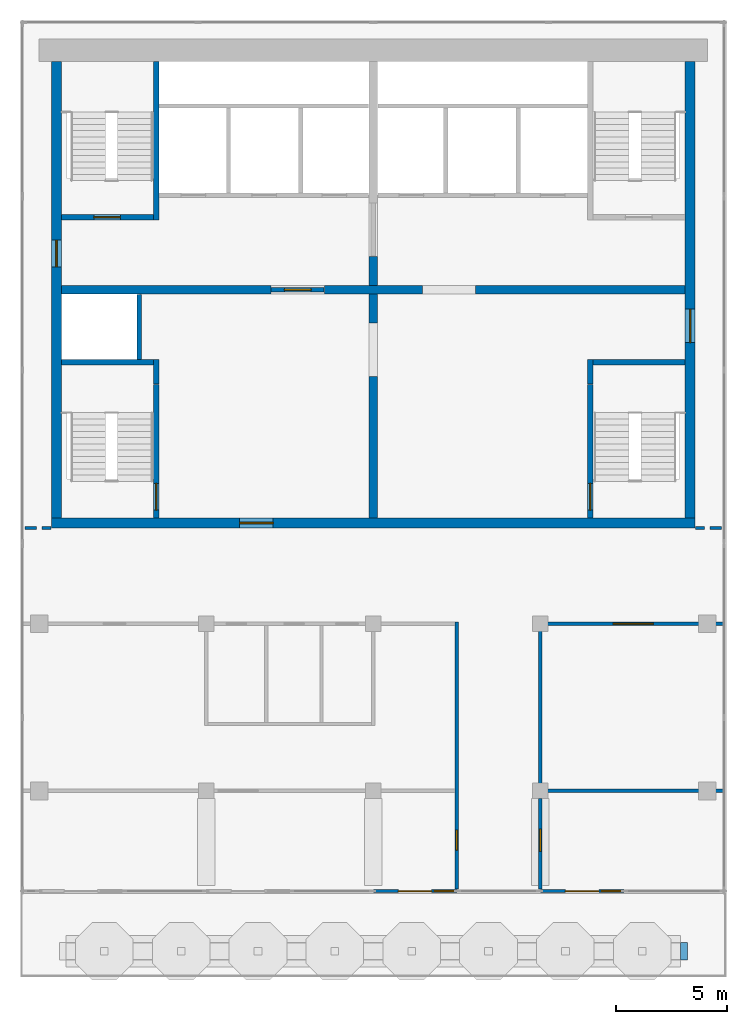
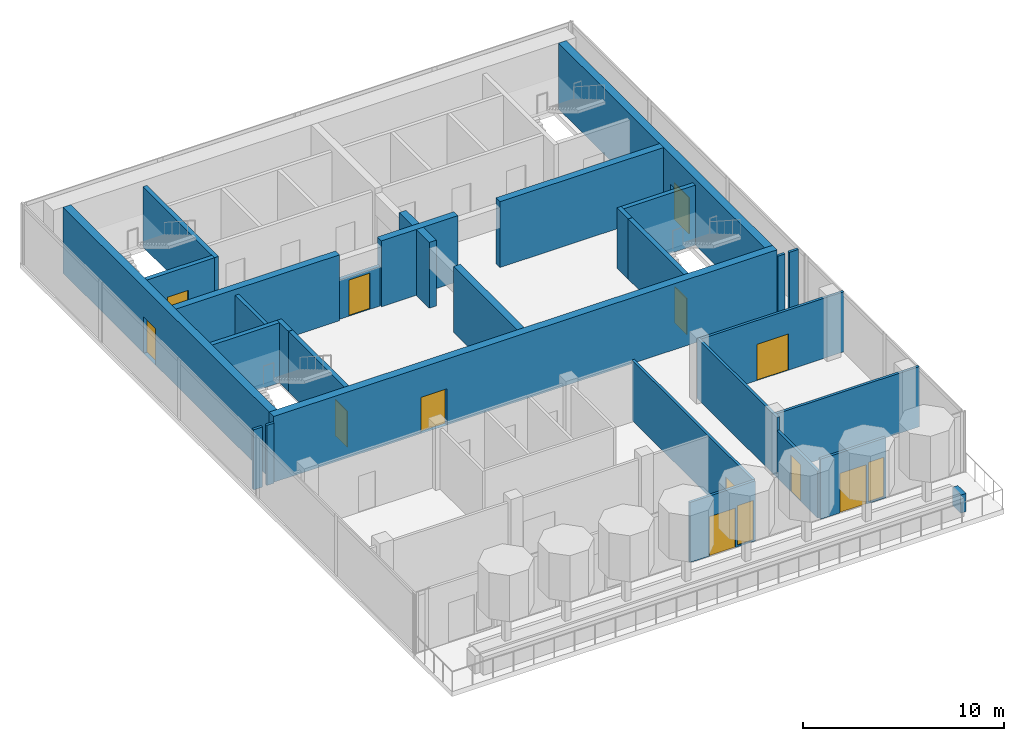
# One storey, part 3 of 6: 31 walls, 12 doors, 2 windows, 14 openings.
"""IFC4 building model written with IfcOpenShell, lengths in metres."""

from ifc_helpers import new_model, si_unit, direction, frame, frame_2d, origin, place, context, subcontext, project, spatial, rectangle, extrude, material, layer, layer_set, type_object, element, fill, save


model = new_model("IFC4")

# Units and contexts
model_context = context("Model", 3, precision=1e-05, world=origin(), true_north=direction((0.0, 1.0)))
body_context = subcontext(model_context, "Body", "Model", "MODEL_VIEW")
ifc_project = project(units=[si_unit("LENGTHUNIT", "METRE"), si_unit("AREAUNIT", "SQUARE_METRE"), si_unit("VOLUMEUNIT", "CUBIC_METRE"), si_unit("PLANEANGLEUNIT", "RADIAN"), si_unit("MASSUNIT", "GRAM", prefix="KILO")], contexts=[model_context])

# Site, building, storey
site_placement = place(None, origin())
site = spatial("IfcSite", under=ifc_project, at=site_placement, CompositionType="ELEMENT")
building_placement = place(site_placement, origin())
building = spatial("IfcBuilding", under=site, at=building_placement, Name="Pilkhan Gate Tower", CompositionType="ELEMENT")
storey_placement = place(building_placement, frame((0.0, 0.0, 283.699951171875)))
storey = spatial("IfcBuildingStorey", under=building, at=storey_placement, Name="L74", CompositionType="ELEMENT", Elevation=283.699951171875)

# Wall, opening, door
ifc_material_1 = material(Name="Concrete C50/60", Category="concrete")
ifc_layer_1 = layer(ifc_material_1, 0.449951171875)
ifc_layer_set_1 = layer_set([ifc_layer_1], Name="Core wall CW450 C50/60")
wall_type_1 = type_object("IfcWallType", Name="Core wall CW450 C50/60", PredefinedType="SHEAR", material=ifc_layer_set_1)
wall_1_placement = place(storey_placement, frame((60.550048828125, 72.02490234375, 0.0), z_axis=(0.0, 0.0, 1.0), x_axis=(1.0, 0.0, 0.0)))
wall_1 = element("IfcWall", 1, at=wall_1_placement, inside=storey, type_object=wall_type_1, Name="Core wall S L74", PredefinedType="SHEAR", context=body_context, shape_type="SweptSolid", body=[
    extrude(rectangle(XDim=28.89990234375, YDim=0.449951171875, at=frame_2d((14.449951171875, 0.0))), origin(), (0.0, 0.0, 1.0), 4.0),
])
opening_1_placement = place(wall_1_placement, frame((8.449951171875, 0.0, 0.0)))
opening_1 = element("IfcOpeningElement", 2, at=opening_1_placement, cuts=wall_1, Name="Opening L74-07", PredefinedType="OPENING", context=body_context, shape_type="SweptSolid", body=[
    extrude(rectangle(XDim=1.5, YDim=2.199951171875, at=frame_2d((0.75, 1.10009765625))), frame((0.0, 0.23486328125, 0.0), z_axis=(0.0, -1.0, 0.0), x_axis=(1.0, 0.0, 0.0)), (0.0, 0.0, 1.0), 0.469970703125),
])
ifc_material_2 = material(Name="Steel framed glazed door, 60 minute fire resisting", Category="steel")
door_type_1 = type_object("IfcDoorType", Name="Lobby door D09 1500x2200", OperationType="DOUBLE_DOOR_SINGLE_SWING", PredefinedType="DOOR", material=ifc_material_2)
door_1_placement = place(opening_1_placement, origin())
door_1 = element("IfcDoor", 3, at=door_1_placement, inside=storey, type_object=door_type_1, Name="Core door", OperationType="DOUBLE_DOOR_SINGLE_SWING", OverallHeight=2.199951171875, OverallWidth=1.5, PredefinedType="DOOR", context=body_context, shape_type="SweptSolid", body=[
    extrude(rectangle(XDim=1.5, YDim=2.199951171875, at=frame_2d((0.75, 1.10009765625))), frame((0.0, 0.02490234375, 0.0), z_axis=(0.0, -1.0, 0.0), x_axis=(1.0, 0.0, 0.0)), (0.0, 0.0, 1.0), 0.050048828125),
])
fill(opening_1, door_1)

wall_2_placement = place(storey_placement, frame((89.22509765625, 72.25, 0.0), z_axis=(0.0, 0.0, 1.0), x_axis=(0.0, 1.0, 0.0)))
wall_2 = element("IfcWall", 4, at=wall_2_placement, inside=storey, type_object=wall_type_1, Name="Core wall E L74", PredefinedType="SHEAR", context=body_context, shape_type="SweptSolid", body=[
    extrude(rectangle(XDim=20.5, YDim=0.449951171875, at=frame_2d((10.25, 0.0))), origin(), (0.0, 0.0, 1.0), 4.0),
])
opening_2_placement = place(wall_2_placement, frame((7.875, 0.0, 0.0)))
opening_2 = element("IfcOpeningElement", 5, at=opening_2_placement, cuts=wall_2, Name="Opening L74-08", PredefinedType="OPENING", context=body_context, shape_type="SweptSolid", body=[
    extrude(rectangle(XDim=1.5, YDim=2.199951171875, at=frame_2d((0.75, 1.10009765625))), frame((0.0, 0.23486328125, 0.0), z_axis=(0.0, -1.0, 0.0), x_axis=(1.0, 0.0, 0.0)), (0.0, 0.0, 1.0), 0.469970703125),
])
door_2_placement = place(opening_2_placement, origin())
door_2 = element("IfcDoor", 6, at=door_2_placement, inside=storey, type_object=door_type_1, Name="Core door", OperationType="DOUBLE_DOOR_SINGLE_SWING", OverallHeight=2.199951171875, OverallWidth=1.5, PredefinedType="DOOR", context=body_context, shape_type="SweptSolid", body=[
    extrude(rectangle(XDim=1.5, YDim=2.199951171875, at=frame_2d((0.75, 1.10009765625))), frame((0.0, 0.02490234375, 0.0), z_axis=(0.0, -1.0, 0.0), x_axis=(1.0, 0.0, 0.0)), (0.0, 0.0, 1.0), 0.050048828125),
])
fill(opening_2, door_2)

wall_3_placement = place(storey_placement, frame((60.77490234375, 92.75, 0.0), z_axis=(0.0, 0.0, 1.0), x_axis=(0.0, -1.0, 0.0)))
wall_3 = element("IfcWall", 7, at=wall_3_placement, inside=storey, type_object=wall_type_1, Name="Core wall W L74", PredefinedType="SHEAR", context=body_context, shape_type="SweptSolid", body=[
    extrude(rectangle(XDim=20.5, YDim=0.449951171875, at=frame_2d((10.25, 0.0))), origin(), (0.0, 0.0, 1.0), 4.0),
])
opening_3_placement = place(wall_3_placement, frame((8.02490234375, 0.0, 0.0)))
opening_3 = element("IfcOpeningElement", 8, at=opening_3_placement, cuts=wall_3, Name="Opening L74-09", PredefinedType="OPENING", context=body_context, shape_type="SweptSolid", body=[
    extrude(rectangle(XDim=1.199951171875, YDim=2.199951171875, at=frame_2d((0.60009765625, 1.10009765625))), frame((0.0, 0.23486328125, 0.0), z_axis=(0.0, -1.0, 0.0), x_axis=(1.0, 0.0, 0.0)), (0.0, 0.0, 1.0), 0.469970703125),
])
ifc_material_3 = material(Name="Steel door, 120 minute fire resisting, self-closing", Category="steel")
door_type_2 = type_object("IfcDoorType", Name="Firefighting lobby door D10 1200x2200", OperationType="SINGLE_SWING_LEFT", PredefinedType="DOOR", material=ifc_material_3)
door_3_placement = place(opening_3_placement, origin())
door_3 = element("IfcDoor", 9, at=door_3_placement, inside=storey, type_object=door_type_2, Name="Core door", OperationType="SINGLE_SWING_RIGHT", OverallHeight=2.199951171875, OverallWidth=1.199951171875, PredefinedType="DOOR", context=body_context, shape_type="SweptSolid", body=[
    extrude(rectangle(XDim=1.199951171875, YDim=2.199951171875, at=frame_2d((0.60009765625, 1.10009765625))), frame((0.0, 0.02490234375, 0.0), z_axis=(0.0, -1.0, 0.0), x_axis=(1.0, 0.0, 0.0)), (0.0, 0.0, 1.0), 0.050048828125),
])
fill(opening_3, door_3)

# Wall, openings, door, window
ifc_material_4 = material(Name="Pale anodised aluminium, clear laminated glazing", Category="aluminium")
ifc_layer_2 = layer(ifc_material_4, 0.14990234375)
ifc_layer_set_2 = layer_set([ifc_layer_2], Name="Facade infill wall IW150")
wall_type_2 = type_object("IfcWallType", Name="Facade infill wall IW150", PredefinedType="SOLIDWALL", material=ifc_layer_set_2)
wall_4_placement = place(storey_placement, frame((78.75, 55.5, 0.0), z_axis=(0.0, 0.0, 1.0), x_axis=(-1.0, 0.0, 0.0)))
wall_4 = element("IfcWall", 10, at=wall_4_placement, inside=storey, type_object=wall_type_2, Name="Infill wall L74 S", PredefinedType="SOLIDWALL", context=body_context, shape_type="SweptSolid", body=[
    extrude(rectangle(XDim=3.75, YDim=0.14990234375, at=frame_2d((1.875, 0.0))), origin(), (0.0, 0.0, 1.0), 3.650146484375),
])
opening_4_placement = place(wall_4_placement, frame((0.112548828125, 0.0, 0.10009765625)))
opening_4 = element("IfcOpeningElement", 11, at=opening_4_placement, cuts=wall_4, Name="Opening W1", PredefinedType="OPENING", context=body_context, shape_type="SweptSolid", body=[
    extrude(rectangle(XDim=0.89990234375, YDim=2.39990234375, at=frame_2d((0.449951171875, 1.199951171875))), frame((0.0, 0.0849609375, 0.0), z_axis=(0.0, -1.0, 0.0), x_axis=(1.0, 0.0, 0.0)), (0.0, 0.0, 1.0), 0.169921875),
])
opening_5_placement = place(wall_4_placement, frame((1.125, 0.0, 0.0)))
opening_5 = element("IfcOpeningElement", 12, at=opening_5_placement, cuts=wall_4, Name="Opening D5", PredefinedType="OPENING", context=body_context, shape_type="SweptSolid", body=[
    extrude(rectangle(XDim=1.5, YDim=2.39990234375, at=frame_2d((0.75, 1.199951171875))), frame((0.0, 0.0849609375, 0.0), z_axis=(0.0, -1.0, 0.0), x_axis=(1.0, 0.0, 0.0)), (0.0, 0.0, 1.0), 0.169921875),
])
ifc_material_5 = material(Name="Pale anodised aluminium, clear glazing", Category="aluminium")
door_type_3 = type_object("IfcDoorType", Name="Terrace door D5 1500x2400", OperationType="DOUBLE_DOOR_SINGLE_SWING", PredefinedType="DOOR", material=ifc_material_5)
door_4_placement = place(opening_5_placement, origin())
door_4 = element("IfcDoor", 13, at=door_4_placement, inside=storey, type_object=door_type_3, Name="Terrace door L74", OperationType="DOUBLE_DOOR_SINGLE_SWING", OverallHeight=2.39990234375, OverallWidth=1.5, PredefinedType="DOOR", context=body_context, shape_type="SweptSolid", body=[
    extrude(rectangle(XDim=1.5, YDim=2.39990234375, at=frame_2d((0.75, 1.199951171875))), frame((0.0, 0.02490234375, 0.0), z_axis=(0.0, -1.0, 0.0), x_axis=(1.0, 0.0, 0.0)), (0.0, 0.0, 1.0), 0.050048828125),
])
fill(opening_5, door_4)
ifc_material_6 = material(Name="Pale anodised aluminium, clear double glazing", Category="aluminium")
window_type = type_object("IfcWindowType", Name="Window W1 900x2400", PartitioningType="SINGLE_PANEL", PredefinedType="WINDOW", material=ifc_material_6)
window_1_placement = place(opening_4_placement, origin())
window_1 = element("IfcWindow", 14, at=window_1_placement, inside=storey, type_object=window_type, Name="Window L74", OverallHeight=2.39990234375, OverallWidth=0.89990234375, PartitioningType="SINGLE_PANEL", PredefinedType="WINDOW", context=body_context, shape_type="SweptSolid", body=[
    extrude(rectangle(XDim=0.89990234375, YDim=2.39990234375, at=frame_2d((0.449951171875, 1.199951171875))), frame((0.0, 0.030029296875, 0.0), z_axis=(0.0, -1.0, 0.0), x_axis=(1.0, 0.0, 0.0)), (0.0, 0.0, 1.0), 0.06005859375),
])
fill(opening_4, window_1)

wall_5_placement = place(storey_placement, frame((86.25, 55.5, 0.0), z_axis=(0.0, 0.0, 1.0), x_axis=(-1.0, 0.0, 0.0)))
wall_5 = element("IfcWall", 15, at=wall_5_placement, inside=storey, type_object=wall_type_2, Name="Infill wall L74 S", PredefinedType="SOLIDWALL", context=body_context, shape_type="SweptSolid", body=[
    extrude(rectangle(XDim=3.75, YDim=0.14990234375, at=frame_2d((1.875, 0.0))), origin(), (0.0, 0.0, 1.0), 3.650146484375),
])
opening_6_placement = place(wall_5_placement, frame((0.112548828125, 0.0, 0.10009765625)))
opening_6 = element("IfcOpeningElement", 16, at=opening_6_placement, cuts=wall_5, Name="Opening W1", PredefinedType="OPENING", context=body_context, shape_type="SweptSolid", body=[
    extrude(rectangle(XDim=0.89990234375, YDim=2.39990234375, at=frame_2d((0.449951171875, 1.199951171875))), frame((0.0, 0.0849609375, 0.0), z_axis=(0.0, -1.0, 0.0), x_axis=(1.0, 0.0, 0.0)), (0.0, 0.0, 1.0), 0.169921875),
])
opening_7_placement = place(wall_5_placement, frame((1.125, 0.0, 0.0)))
opening_7 = element("IfcOpeningElement", 17, at=opening_7_placement, cuts=wall_5, Name="Opening D5", PredefinedType="OPENING", context=body_context, shape_type="SweptSolid", body=[
    extrude(rectangle(XDim=1.5, YDim=2.39990234375, at=frame_2d((0.75, 1.199951171875))), frame((0.0, 0.0849609375, 0.0), z_axis=(0.0, -1.0, 0.0), x_axis=(1.0, 0.0, 0.0)), (0.0, 0.0, 1.0), 0.169921875),
])
door_5_placement = place(opening_7_placement, origin())
door_5 = element("IfcDoor", 18, at=door_5_placement, inside=storey, type_object=door_type_3, Name="Terrace door L74", OperationType="DOUBLE_DOOR_SINGLE_SWING", OverallHeight=2.39990234375, OverallWidth=1.5, PredefinedType="DOOR", context=body_context, shape_type="SweptSolid", body=[
    extrude(rectangle(XDim=1.5, YDim=2.39990234375, at=frame_2d((0.75, 1.199951171875))), frame((0.0, 0.02490234375, 0.0), z_axis=(0.0, -1.0, 0.0), x_axis=(1.0, 0.0, 0.0)), (0.0, 0.0, 1.0), 0.050048828125),
])
fill(opening_7, door_5)
window_2_placement = place(opening_6_placement, origin())
window_2 = element("IfcWindow", 19, at=window_2_placement, inside=storey, type_object=window_type, Name="Window L74", OverallHeight=2.39990234375, OverallWidth=0.89990234375, PartitioningType="SINGLE_PANEL", PredefinedType="WINDOW", context=body_context, shape_type="SweptSolid", body=[
    extrude(rectangle(XDim=0.89990234375, YDim=2.39990234375, at=frame_2d((0.449951171875, 1.199951171875))), frame((0.0, 0.030029296875, 0.0), z_axis=(0.0, -1.0, 0.0), x_axis=(1.0, 0.0, 0.0)), (0.0, 0.0, 1.0), 0.06005859375),
])
fill(opening_6, window_2)

# Wall, opening, door
ifc_material_7 = material(Name="Dense blockwork", Category="masonry")
ifc_layer_3 = layer(ifc_material_7, 0.199951171875)
ifc_layer_set_3 = layer_set([ifc_layer_3], Name="Lobby wall LW200")
wall_type_3 = type_object("IfcWallType", Name="Lobby wall LW200", PredefinedType="PARTITIONING", material=ifc_layer_set_3)
wall_6_placement = place(storey_placement, frame((70.409912109375, 82.5, 0.0), z_axis=(0.0, 0.0, 1.0), x_axis=(1.0, 0.0, 0.0)))
wall_6 = element("IfcWall", 20, at=wall_6_placement, inside=storey, type_object=wall_type_3, Name="Partition L74", PredefinedType="PARTITIONING", context=body_context, shape_type="SweptSolid", body=[
    extrude(rectangle(XDim=2.380126953125, YDim=0.199951171875, at=frame_2d((1.18994140625, 0.0))), origin(), (0.0, 0.0, 1.0), 2.400146484375),
])
opening_8_placement = place(wall_6_placement, frame((0.60009765625, 0.0, 0.0)))
opening_8 = element("IfcOpeningElement", 21, at=opening_8_placement, cuts=wall_6, Name="Opening L74-01", PredefinedType="OPENING", context=body_context, shape_type="SweptSolid", body=[
    extrude(rectangle(XDim=1.199951171875, YDim=2.199951171875, at=frame_2d((0.60009765625, 1.10009765625))), frame((0.0, 0.10986328125, 0.0), z_axis=(0.0, -1.0, 0.0), x_axis=(1.0, 0.0, 0.0)), (0.0, 0.0, 1.0), 0.219970703125),
])
door_6_placement = place(opening_8_placement, origin())
door_6 = element("IfcDoor", 22, at=door_6_placement, inside=storey, type_object=door_type_2, Name="Firefighting lobby door", OperationType="SINGLE_SWING_LEFT", OverallHeight=2.199951171875, OverallWidth=1.199951171875, PredefinedType="DOOR", context=body_context, shape_type="SweptSolid", body=[
    extrude(rectangle(XDim=1.199951171875, YDim=2.199951171875, at=frame_2d((0.60009765625, 1.10009765625))), frame((0.0, 0.02490234375, 0.0), z_axis=(0.0, -1.0, 0.0), x_axis=(1.0, 0.0, 0.0)), (0.0, 0.0, 1.0), 0.050048828125),
])
fill(opening_8, door_6)

# Wall
ifc_material_8 = material(Name="Blockwork partition, plastered both sides", Category="masonry")
ifc_layer_4 = layer(ifc_material_8, 0.14990234375)
ifc_layer_set_4 = layer_set([ifc_layer_4], Name="Partition PW150")
wall_type_4 = type_object("IfcWallType", Name="Partition PW150", PredefinedType="PARTITIONING", material=ifc_layer_set_4)
wall_7_placement = place(storey_placement, frame((82.574951171875, 60.0, 0.0), z_axis=(0.0, 0.0, 1.0), x_axis=(1.0, 0.0, 0.0)))
element("IfcWall", 23, at=wall_7_placement, inside=storey, type_object=wall_type_4, Name="Partition L74", PredefinedType="PARTITIONING", context=body_context, shape_type="SweptSolid", body=[
    extrude(rectangle(XDim=8.18994140625, YDim=0.14990234375, at=frame_2d((4.094970703125, 0.0))), origin(), (0.0, 0.0, 1.0), 3.650146484375),
])

# Wall, opening, door
wall_8_placement = place(storey_placement, frame((82.574951171875, 67.5, 0.0), z_axis=(0.0, 0.0, 1.0), x_axis=(1.0, 0.0, 0.0)))
wall_8 = element("IfcWall", 24, at=wall_8_placement, inside=storey, type_object=wall_type_4, Name="Partition L74", PredefinedType="PARTITIONING", context=body_context, shape_type="SweptSolid", body=[
    extrude(rectangle(XDim=8.18994140625, YDim=0.14990234375, at=frame_2d((4.094970703125, 0.0))), origin(), (0.0, 0.0, 1.0), 3.650146484375),
])
opening_9_placement = place(wall_8_placement, frame((3.199951171875, 0.0, 0.0)))
opening_9 = element("IfcOpeningElement", 25, at=opening_9_placement, cuts=wall_8, Name="Opening L74-15", PredefinedType="OPENING", context=body_context, shape_type="SweptSolid", body=[
    extrude(rectangle(XDim=1.800048828125, YDim=2.199951171875, at=frame_2d((0.89990234375, 1.10009765625))), frame((0.0, 0.0849609375, 0.0), z_axis=(0.0, -1.0, 0.0), x_axis=(1.0, 0.0, 0.0)), (0.0, 0.0, 1.0), 0.169921875),
])
ifc_material_9 = material(Name="Timber glazed double door, 30 minute fire resisting", Category="wood")
door_type_4 = type_object("IfcDoorType", Name="Double door D04 1800x2200", OperationType="DOUBLE_DOOR_SINGLE_SWING", PredefinedType="DOOR", material=ifc_material_9)
door_7_placement = place(opening_9_placement, origin())
door_7 = element("IfcDoor", 26, at=door_7_placement, inside=storey, type_object=door_type_4, Name="Double door", OperationType="DOUBLE_DOOR_SINGLE_SWING", OverallHeight=2.199951171875, OverallWidth=1.800048828125, PredefinedType="DOOR", context=body_context, shape_type="SweptSolid", body=[
    extrude(rectangle(XDim=1.800048828125, YDim=2.199951171875, at=frame_2d((0.89990234375, 1.10009765625))), frame((0.0, 0.02490234375, 0.0), z_axis=(0.0, -1.0, 0.0), x_axis=(1.0, 0.0, 0.0)), (0.0, 0.0, 1.0), 0.050048828125),
])
fill(opening_9, door_7)

# Walls
wall_9_placement = place(storey_placement, frame((59.35498046875, 71.800048828125, 0.0), z_axis=(0.0, 0.0, 1.0), x_axis=(1.0, 0.0, 0.0)))
element("IfcWall", 27, at=wall_9_placement, inside=storey, type_object=wall_type_4, Name="Partition L74", PredefinedType="PARTITIONING", context=body_context, shape_type="SweptSolid", body=[
    extrude(rectangle(XDim=0.52490234375, YDim=0.14990234375, at=frame_2d((0.262451171875, 0.0))), origin(), (0.0, 0.0, 1.0), 3.650146484375),
])
for number, where, z_axis, x_axis, name in (
    (28, (60.1201171875, 71.800048828125, 0.0), (0.0, 0.0, 1.0), (1.0, 0.0, 0.0), "Partition L74"),
    (29, (89.4599609375, 71.800048828125, 0.0), (0.0, 0.0, 1.0), (1.0, 0.0, 0.0), "Partition L74"),
):
    element("IfcWall", number, at=place(storey_placement, frame(where, z_axis=z_axis, x_axis=x_axis)), inside=storey, type_object=wall_type_4, Name=name, PredefinedType="PARTITIONING", context=body_context, shape_type="SweptSolid", body=[
        extrude(rectangle(XDim=0.419921875, YDim=0.14990234375, at=frame_2d((0.2099609375, 0.0))), origin(), (0.0, 0.0, 1.0), 3.650146484375),
    ])
wall_10_placement = place(storey_placement, frame((90.1201171875, 71.800048828125, 0.0), z_axis=(0.0, 0.0, 1.0), x_axis=(1.0, 0.0, 0.0)))
element("IfcWall", 30, at=wall_10_placement, inside=storey, type_object=wall_type_4, Name="Partition L74", PredefinedType="PARTITIONING", context=body_context, shape_type="SweptSolid", body=[
    extrude(rectangle(XDim=0.52490234375, YDim=0.14990234375, at=frame_2d((0.262451171875, 0.0))), origin(), (0.0, 0.0, 1.0), 3.650146484375),
])

# Wall, opening, door
wall_11_placement = place(storey_placement, frame((78.75, 55.5849609375, 0.0), z_axis=(0.0, 0.0, 1.0), x_axis=(0.0, 1.0, 0.0)))
wall_11 = element("IfcWall", 31, at=wall_11_placement, inside=storey, type_object=wall_type_4, Name="Partition L74", PredefinedType="PARTITIONING", context=body_context, shape_type="SweptSolid", body=[
    extrude(rectangle(XDim=11.989990234375, YDim=0.14990234375, at=frame_2d((5.9951171875, 0.0))), origin(), (0.0, 0.0, 1.0), 3.650146484375),
])
opening_10_placement = place(wall_11_placement, frame((1.75, 0.0, 0.0)))
opening_10 = element("IfcOpeningElement", 32, at=opening_10_placement, cuts=wall_11, Name="Opening L74-14", PredefinedType="OPENING", context=body_context, shape_type="SweptSolid", body=[
    extrude(rectangle(XDim=0.89990234375, YDim=2.199951171875, at=frame_2d((0.449951171875, 1.10009765625))), frame((0.0, 0.0849609375, 0.0), z_axis=(0.0, -1.0, 0.0), x_axis=(1.0, 0.0, 0.0)), (0.0, 0.0, 1.0), 0.169921875),
])
ifc_material_10 = material(Name="Timber flush door, 60 minute fire resisting, self-closing", Category="wood")
door_type_5 = type_object("IfcDoorType", Name="Store door D05 900x2200", OperationType="SINGLE_SWING_LEFT", PredefinedType="DOOR", material=ifc_material_10)
door_8_placement = place(opening_10_placement, origin())
door_8 = element("IfcDoor", 33, at=door_8_placement, inside=storey, type_object=door_type_5, Name="Store door", OperationType="SINGLE_SWING_RIGHT", OverallHeight=2.199951171875, OverallWidth=0.89990234375, PredefinedType="DOOR", context=body_context, shape_type="SweptSolid", body=[
    extrude(rectangle(XDim=0.89990234375, YDim=2.199951171875, at=frame_2d((0.449951171875, 1.10009765625))), frame((0.0, 0.02490234375, 0.0), z_axis=(0.0, -1.0, 0.0), x_axis=(1.0, 0.0, 0.0)), (0.0, 0.0, 1.0), 0.050048828125),
])
fill(opening_10, door_8)

wall_12_placement = place(storey_placement, frame((82.5, 55.5849609375, 0.0), z_axis=(0.0, 0.0, 1.0), x_axis=(0.0, 1.0, 0.0)))
wall_12 = element("IfcWall", 34, at=wall_12_placement, inside=storey, type_object=wall_type_4, Name="Partition L74", PredefinedType="PARTITIONING", context=body_context, shape_type="SweptSolid", body=[
    extrude(rectangle(XDim=4.06494140625, YDim=0.14990234375, at=frame_2d((2.032470703125, 0.0))), origin(), (0.0, 0.0, 1.0), 2.85009765625),
])
opening_11_placement = place(wall_12_placement, frame((1.699951171875, 0.0, 0.0)))
opening_11 = element("IfcOpeningElement", 35, at=opening_11_placement, cuts=wall_12, Name="Opening L74-16", PredefinedType="OPENING", context=body_context, shape_type="SweptSolid", body=[
    extrude(rectangle(XDim=1.0, YDim=2.199951171875, at=frame_2d((0.5, 1.10009765625))), frame((0.0, 0.0849609375, 0.0), z_axis=(0.0, -1.0, 0.0), x_axis=(1.0, 0.0, 0.0)), (0.0, 0.0, 1.0), 0.169921875),
])
ifc_material_11 = material(Name="Timber flush door, 30 minute fire resisting", Category="wood")
door_type_6 = type_object("IfcDoorType", Name="Room door D03 1000x2200", OperationType="SINGLE_SWING_LEFT", PredefinedType="DOOR", material=ifc_material_11)
door_9_placement = place(opening_11_placement, origin())
door_9 = element("IfcDoor", 36, at=door_9_placement, inside=storey, type_object=door_type_6, Name="Room door", OperationType="SINGLE_SWING_RIGHT", OverallHeight=2.199951171875, OverallWidth=1.0, PredefinedType="DOOR", context=body_context, shape_type="SweptSolid", body=[
    extrude(rectangle(XDim=1.0, YDim=2.199951171875, at=frame_2d((0.5, 1.10009765625))), frame((0.0, 0.02490234375, 0.0), z_axis=(0.0, -1.0, 0.0), x_axis=(1.0, 0.0, 0.0)), (0.0, 0.0, 1.0), 0.050048828125),
])
fill(opening_11, door_9)

# Walls
wall_13_placement = place(storey_placement, frame((82.5, 59.64990234375, 0.0), z_axis=(0.0, 0.0, 1.0), x_axis=(0.0, 1.0, 0.0)))
element("IfcWall", 37, at=wall_13_placement, inside=storey, type_object=wall_type_4, Name="Partition L74", PredefinedType="PARTITIONING", context=body_context, shape_type="SweptSolid", body=[
    extrude(rectangle(XDim=7.925048828125, YDim=0.14990234375, at=frame_2d((3.96240234375, 0.0))), origin(), (0.0, 0.0, 1.0), 3.650146484375),
])
ifc_material_12 = material(Name="Reinforced blockwork shaft wall, 120 minute fire resisting", Category="masonry")
ifc_layer_5 = layer(ifc_material_12, 0.199951171875)
ifc_layer_set_5 = layer_set([ifc_layer_5], Name="Shaft wall SW200")
wall_type_5 = type_object("IfcWallType", Name="Shaft wall SW200", PredefinedType="PARTITIONING", material=ifc_layer_set_5)
wall_14_placement = place(storey_placement, frame((64.5, 79.375, 0.0), z_axis=(0.0, 0.0, 1.0), x_axis=(0.0, 1.0, 0.0)))
element("IfcWall", 38, at=wall_14_placement, inside=storey, type_object=wall_type_5, Name="Partition L74", PredefinedType="PARTITIONING", context=body_context, shape_type="SweptSolid", body=[
    extrude(rectangle(XDim=2.9150390625, YDim=0.199951171875, at=frame_2d((1.45751953125, 0.0))), origin(), (0.0, 0.0, 1.0), 3.650146484375),
])
ifc_layer_6 = layer(ifc_material_1, 0.39990234375)
ifc_layer_set_6 = layer_set([ifc_layer_6], Name="Spine wall SW400 C50/60")
wall_type_6 = type_object("IfcWallType", Name="Spine wall SW400 C50/60", PredefinedType="SHEAR", material=ifc_layer_set_6)
wall_15_placement = place(storey_placement, frame((61.0, 82.5, 0.0), z_axis=(0.0, 0.0, 1.0), x_axis=(1.0, 0.0, 0.0)))
element("IfcWall", 39, at=wall_15_placement, inside=storey, type_object=wall_type_6, Name="Spine wall SP-EW1 L74", PredefinedType="SHEAR", context=body_context, shape_type="SweptSolid", body=[
    extrude(rectangle(XDim=9.39990234375, YDim=0.39990234375, at=frame_2d((4.699951171875, 0.0))), origin(), (0.0, 0.0, 1.0), 4.0),
])
wall_16_placement = place(storey_placement, frame((72.800048828125, 82.5, 0.0), z_axis=(0.0, 0.0, 1.0), x_axis=(1.0, 0.0, 0.0)))
element("IfcWall", 40, at=wall_16_placement, inside=storey, type_object=wall_type_6, Name="Spine wall SP-EW2 L74", PredefinedType="SHEAR", context=body_context, shape_type="SweptSolid", body=[
    extrude(rectangle(XDim=4.39990234375, YDim=0.39990234375, at=frame_2d((2.199951171875, 0.0))), origin(), (0.0, 0.0, 1.0), 4.0),
])
wall_17_placement = place(storey_placement, frame((79.60009765625, 82.5, 0.0), z_axis=(0.0, 0.0, 1.0), x_axis=(1.0, 0.0, 0.0)))
element("IfcWall", 41, at=wall_17_placement, inside=storey, type_object=wall_type_6, Name="Spine wall SP-EW3 L74", PredefinedType="SHEAR", context=body_context, shape_type="SweptSolid", body=[
    extrude(rectangle(XDim=9.39990234375, YDim=0.39990234375, at=frame_2d((4.699951171875, 0.0))), origin(), (0.0, 0.0, 1.0), 4.0),
])
wall_18_placement = place(storey_placement, frame((75.0, 72.25, 0.0), z_axis=(0.0, 0.0, 1.0), x_axis=(0.0, 1.0, 0.0)))
element("IfcWall", 42, at=wall_18_placement, inside=storey, type_object=wall_type_6, Name="Spine wall SP-NS-S1 L74", PredefinedType="SHEAR", context=body_context, shape_type="SweptSolid", body=[
    extrude(rectangle(XDim=6.35009765625, YDim=0.39990234375, at=frame_2d((3.175048828125, 0.0))), origin(), (0.0, 0.0, 1.0), 4.0),
])
for number, where, z_axis, x_axis, name in (
    (43, (75.0, 81.0, 0.0), (0.0, 0.0, 1.0), (0.0, 1.0, 0.0), "Spine wall SP-NS-S2 L74"),
    (44, (75.0, 82.699951171875, 0.0), (0.0, 0.0, 1.0), (0.0, 1.0, 0.0), "Spine wall SP-NS-N1 L74"),
):
    element("IfcWall", number, at=place(storey_placement, frame(where, z_axis=z_axis, x_axis=x_axis)), inside=storey, type_object=wall_type_6, Name=name, PredefinedType="SHEAR", context=body_context, shape_type="SweptSolid", body=[
        extrude(rectangle(XDim=1.300048828125, YDim=0.39990234375, at=frame_2d((0.64990234375, 0.0))), origin(), (0.0, 0.0, 1.0), 4.0),
    ])
ifc_material_13 = material(Name="Reinforced blockwork, 120 minute fire resisting", Category="masonry")
ifc_layer_7 = layer(ifc_material_13, 0.25)
ifc_layer_set_7 = layer_set([ifc_layer_7], Name="Stair enclosure wall SE250")
wall_type_7 = type_object("IfcWallType", Name="Stair enclosure wall SE250", PredefinedType="PARTITIONING", material=ifc_layer_set_7)
wall_19_placement = place(storey_placement, frame((61.0, 79.25, 0.0), z_axis=(0.0, 0.0, 1.0), x_axis=(1.0, 0.0, 0.0)))
element("IfcWall", 45, at=wall_19_placement, inside=storey, type_object=wall_type_7, Name="Partition L74", PredefinedType="PARTITIONING", context=body_context, shape_type="SweptSolid", body=[
    extrude(rectangle(XDim=4.125, YDim=0.25, at=frame_2d((2.0625, 0.0))), origin(), (0.0, 0.0, 1.0), 3.650146484375),
])
wall_20_placement = place(storey_placement, frame((84.875, 79.25, 0.0), z_axis=(0.0, 0.0, 1.0), x_axis=(1.0, 0.0, 0.0)))
element("IfcWall", 46, at=wall_20_placement, inside=storey, type_object=wall_type_7, Name="Partition L74", PredefinedType="PARTITIONING", context=body_context, shape_type="SweptSolid", body=[
    extrude(rectangle(XDim=4.114990234375, YDim=0.25, at=frame_2d((2.0576171875, 0.0))), origin(), (0.0, 0.0, 1.0), 3.650146484375),
])

# Wall, opening, door
wall_21_placement = place(storey_placement, frame((61.0, 85.75, 0.0), z_axis=(0.0, 0.0, 1.0), x_axis=(1.0, 0.0, 0.0)))
wall_21 = element("IfcWall", 47, at=wall_21_placement, inside=storey, type_object=wall_type_7, Name="Partition L74", PredefinedType="PARTITIONING", context=body_context, shape_type="SweptSolid", body=[
    extrude(rectangle(XDim=4.125, YDim=0.25, at=frame_2d((2.0625, 0.0))), origin(), (0.0, 0.0, 1.0), 3.650146484375),
])
opening_12_placement = place(wall_21_placement, frame((1.449951171875, 0.0, 0.0)))
opening_12 = element("IfcOpeningElement", 48, at=opening_12_placement, cuts=wall_21, Name="Opening L74-02", PredefinedType="OPENING", context=body_context, shape_type="SweptSolid", body=[
    extrude(rectangle(XDim=1.199951171875, YDim=2.199951171875, at=frame_2d((0.60009765625, 1.10009765625))), frame((0.0, 0.135009765625, 0.0), z_axis=(0.0, -1.0, 0.0), x_axis=(1.0, 0.0, 0.0)), (0.0, 0.0, 1.0), 0.27001953125),
])
ifc_material_14 = material(Name="Steel door, 120 minute fire resisting, panic bar", Category="steel")
door_type_7 = type_object("IfcDoorType", Name="Stair door D11 1200x2200", OperationType="SINGLE_SWING_LEFT", PredefinedType="DOOR", material=ifc_material_14)
door_10_placement = place(opening_12_placement, origin())
door_10 = element("IfcDoor", 49, at=door_10_placement, inside=storey, type_object=door_type_7, Name="Stair ST3 lobby door", OperationType="SINGLE_SWING_RIGHT", OverallHeight=2.199951171875, OverallWidth=1.199951171875, PredefinedType="DOOR", context=body_context, shape_type="SweptSolid", body=[
    extrude(rectangle(XDim=1.199951171875, YDim=2.199951171875, at=frame_2d((0.60009765625, 1.10009765625))), frame((0.0, 0.02490234375, 0.0), z_axis=(0.0, -1.0, 0.0), x_axis=(1.0, 0.0, 0.0)), (0.0, 0.0, 1.0), 0.050048828125),
])
fill(opening_12, door_10)

wall_22_placement = place(storey_placement, frame((65.25, 72.260009765625, 0.0), z_axis=(0.0, 0.0, 1.0), x_axis=(0.0, 1.0, 0.0)))
wall_22 = element("IfcWall", 50, at=wall_22_placement, inside=storey, type_object=wall_type_7, Name="Partition L74", PredefinedType="PARTITIONING", context=body_context, shape_type="SweptSolid", body=[
    extrude(rectangle(XDim=5.989990234375, YDim=0.25, at=frame_2d((2.9951171875, 0.0))), origin(), (0.0, 0.0, 1.0), 3.650146484375),
])
opening_13_placement = place(wall_22_placement, frame((0.35009765625, 0.0, 0.0)))
opening_13 = element("IfcOpeningElement", 51, at=opening_13_placement, cuts=wall_22, Name="Opening L74-04", PredefinedType="OPENING", context=body_context, shape_type="SweptSolid", body=[
    extrude(rectangle(XDim=1.199951171875, YDim=2.199951171875, at=frame_2d((0.60009765625, 1.10009765625))), frame((0.0, 0.135009765625, 0.0), z_axis=(0.0, -1.0, 0.0), x_axis=(1.0, 0.0, 0.0)), (0.0, 0.0, 1.0), 0.27001953125),
])
door_11_placement = place(opening_13_placement, origin())
door_11 = element("IfcDoor", 52, at=door_11_placement, inside=storey, type_object=door_type_7, Name="Stair ST2 lobby door", OperationType="SINGLE_SWING_LEFT", OverallHeight=2.199951171875, OverallWidth=1.199951171875, PredefinedType="DOOR", context=body_context, shape_type="SweptSolid", body=[
    extrude(rectangle(XDim=1.199951171875, YDim=2.199951171875, at=frame_2d((0.60009765625, 1.10009765625))), frame((0.0, 0.02490234375, 0.0), z_axis=(0.0, -1.0, 0.0), x_axis=(1.0, 0.0, 0.0)), (0.0, 0.0, 1.0), 0.050048828125),
])
fill(opening_13, door_11)

# Walls
wall_23_placement = place(storey_placement, frame((65.25, 78.260009765625, 0.0), z_axis=(0.0, 0.0, 1.0), x_axis=(0.0, 1.0, 0.0)))
element("IfcWall", 53, at=wall_23_placement, inside=storey, type_object=wall_type_7, Name="Partition L74", PredefinedType="PARTITIONING", context=body_context, shape_type="SweptSolid", body=[
    extrude(rectangle(XDim=1.114990234375, YDim=0.25, at=frame_2d((0.5576171875, 0.0))), origin(), (0.0, 0.0, 1.0), 3.650146484375),
])
wall_24_placement = place(storey_placement, frame((65.25, 85.625, 0.0), z_axis=(0.0, 0.0, 1.0), x_axis=(0.0, 1.0, 0.0)))
element("IfcWall", 54, at=wall_24_placement, inside=storey, type_object=wall_type_7, Name="Partition L74", PredefinedType="PARTITIONING", context=body_context, shape_type="SweptSolid", body=[
    extrude(rectangle(XDim=7.114990234375, YDim=0.25, at=frame_2d((3.5576171875, 0.0))), origin(), (0.0, 0.0, 1.0), 3.650146484375),
])

# Wall, opening, door
wall_25_placement = place(storey_placement, frame((84.75, 72.260009765625, 0.0), z_axis=(0.0, 0.0, 1.0), x_axis=(0.0, 1.0, 0.0)))
wall_25 = element("IfcWall", 55, at=wall_25_placement, inside=storey, type_object=wall_type_7, Name="Partition L74", PredefinedType="PARTITIONING", context=body_context, shape_type="SweptSolid", body=[
    extrude(rectangle(XDim=5.989990234375, YDim=0.25, at=frame_2d((2.9951171875, 0.0))), origin(), (0.0, 0.0, 1.0), 3.650146484375),
])
opening_14_placement = place(wall_25_placement, frame((0.35009765625, 0.0, 0.0)))
opening_14 = element("IfcOpeningElement", 56, at=opening_14_placement, cuts=wall_25, Name="Opening L74-05", PredefinedType="OPENING", context=body_context, shape_type="SweptSolid", body=[
    extrude(rectangle(XDim=1.199951171875, YDim=2.199951171875, at=frame_2d((0.60009765625, 1.10009765625))), frame((0.0, 0.135009765625, 0.0), z_axis=(0.0, -1.0, 0.0), x_axis=(1.0, 0.0, 0.0)), (0.0, 0.0, 1.0), 0.27001953125),
])
door_12_placement = place(opening_14_placement, origin())
door_12 = element("IfcDoor", 57, at=door_12_placement, inside=storey, type_object=door_type_7, Name="Stair ST1 lobby door", OperationType="SINGLE_SWING_LEFT", OverallHeight=2.199951171875, OverallWidth=1.199951171875, PredefinedType="DOOR", context=body_context, shape_type="SweptSolid", body=[
    extrude(rectangle(XDim=1.199951171875, YDim=2.199951171875, at=frame_2d((0.60009765625, 1.10009765625))), frame((0.0, 0.02490234375, 0.0), z_axis=(0.0, -1.0, 0.0), x_axis=(1.0, 0.0, 0.0)), (0.0, 0.0, 1.0), 0.050048828125),
])
fill(opening_14, door_12)

# Walls
wall_26_placement = place(storey_placement, frame((84.75, 78.260009765625, 0.0), z_axis=(0.0, 0.0, 1.0), x_axis=(0.0, 1.0, 0.0)))
element("IfcWall", 58, at=wall_26_placement, inside=storey, type_object=wall_type_7, Name="Partition L74", PredefinedType="PARTITIONING", context=body_context, shape_type="SweptSolid", body=[
    extrude(rectangle(XDim=1.114990234375, YDim=0.25, at=frame_2d((0.5576171875, 0.0))), origin(), (0.0, 0.0, 1.0), 3.650146484375),
])
ifc_material_15 = material(Name="Concrete C40/50", Category="concrete")
ifc_layer_8 = layer(ifc_material_15, 0.300048828125)
ifc_layer_set_8 = layer_set([ifc_layer_8], Name="Terrace planter TP800")
wall_type_8 = type_object("IfcWallType", Name="Terrace planter TP800", PredefinedType="USERDEFINED", material=ifc_layer_set_8)
wall_27_placement = place(storey_placement, frame((88.949951171875, 53.199951171875, 0.0), z_axis=(0.0, 0.0, 1.0), x_axis=(0.0, -1.0, 0.0)))
element("IfcWall", 59, at=wall_27_placement, inside=storey, type_object=wall_type_8, Name="Terrace planter L74", ObjectType="TERRACE PLANTER", PredefinedType="USERDEFINED", context=body_context, shape_type="SweptSolid", body=[
    extrude(rectangle(XDim=0.800048828125, YDim=0.300048828125, at=frame_2d((0.39990234375, 0.0))), origin(), (0.0, 0.0, 1.0), 1.10009765625),
])

save(model, "model.ifc")
